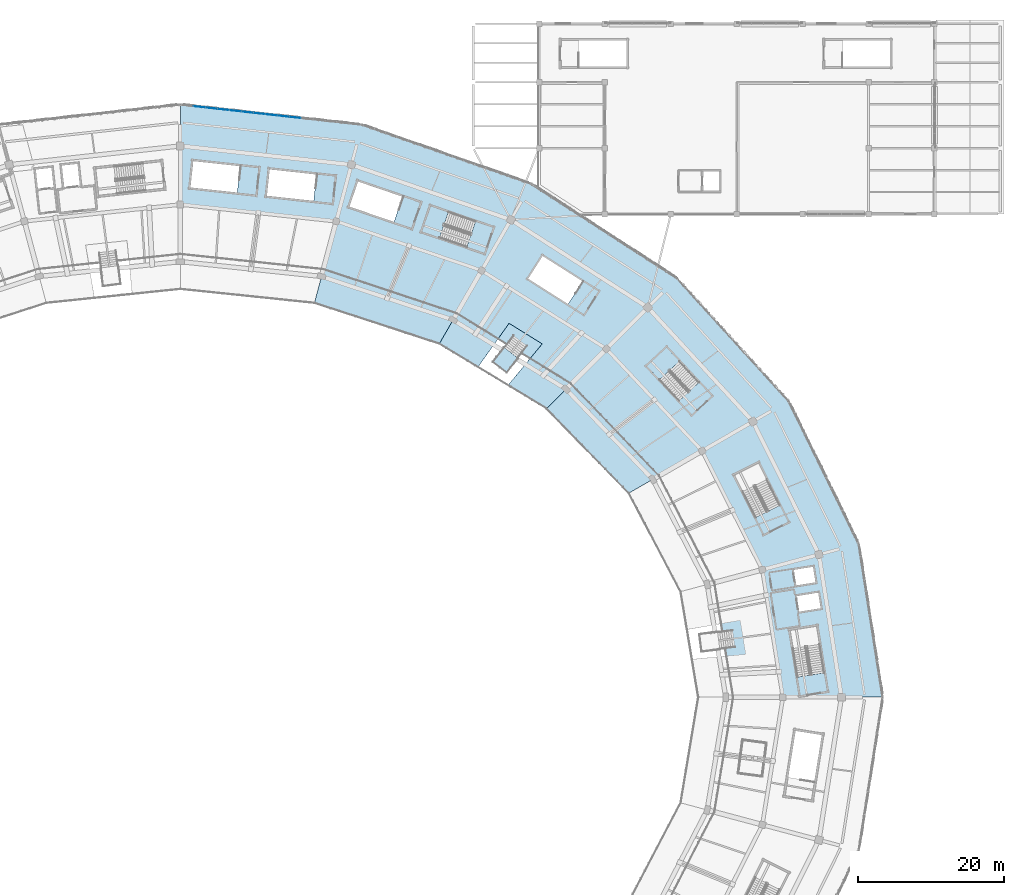
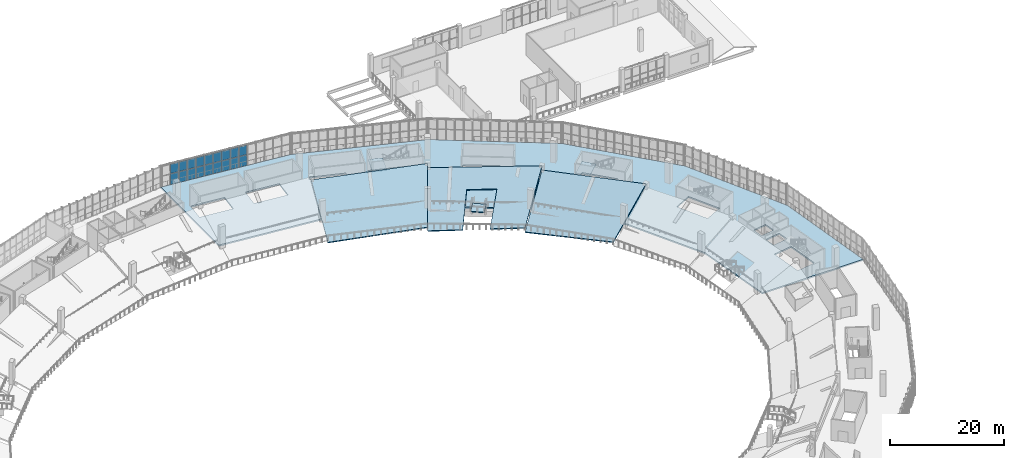
# One storey, part 86 of 152: 18 plates, 7 slabs, 4 elements without a shape of their own.
"""IFC4 building model written with IfcOpenShell, lengths in metres."""

from ifc_helpers import new_model, si_unit, direction, frame, origin, origin_2d, place, context, subcontext, project, spatial, polyline, rectangle, outline, extrude, material, layer, layer_set, type_object, element, aggregate, save


model = new_model("IFC4")

# Units and contexts
model_context = context("Model", 3, precision=1e-05, world=origin(), true_north=direction((0.0, 1.0)))
body_context = subcontext(model_context, "Body", "Model", "MODEL_VIEW")
ifc_project = project(units=[si_unit("LENGTHUNIT", "METRE"), si_unit("AREAUNIT", "SQUARE_METRE"), si_unit("VOLUMEUNIT", "CUBIC_METRE"), si_unit("PLANEANGLEUNIT", "RADIAN"), si_unit("MASSUNIT", "GRAM", prefix="KILO")], contexts=[model_context])

# Site, building, storey
site_placement = place(None, origin())
site = spatial("IfcSite", under=ifc_project, at=site_placement, CompositionType="ELEMENT")
building_placement = place(site_placement, origin())
building = spatial("IfcBuilding", under=site, at=building_placement, Name="Zevraka Park Crest Stadium", CompositionType="ELEMENT")
storey_placement = place(building_placement, frame((0.0, 0.0, 15.0)))
storey = spatial("IfcBuildingStorey", under=building, at=storey_placement, Name="L03", CompositionType="ELEMENT", Elevation=15.0)

# Curtain wall, plates
ifc_material_1 = material(Name="Anodised architectural aluminium and laminated safety glass", Category="aluminium")
curtain_wall_type = type_object("IfcCurtainWallType", Name="CW11", PredefinedType="NOTDEFINED", material=ifc_material_1)
curtain_wall_placement = place(storey_placement, origin())
curtain_wall = element("IfcCurtainWall", 1, at=curtain_wall_placement, inside=storey, type_object=curtain_wall_type, Name="Unitised Ring Curtain Wall CW11 L03-05", PredefinedType="NOTDEFINED")
ifc_material_2 = material(Name="Solar-control laminated double glazing", Category="glass")
ifc_layer_1 = layer(ifc_material_2, 0.028076171875)
ifc_layer_set_1 = layer_set([ifc_layer_1], Name="Solar-control laminated double glazing")
plate_type = type_object("IfcPlateType", Name="CP11", PredefinedType="CURTAIN_PANEL", material=ifc_layer_set_1)
plate_1_placement = place(storey_placement, frame((127.6904296875, 171.176513671875, 0.06494140625), z_axis=(0.0, 0.0, 1.0), x_axis=(-0.993887680665, 0.110396006373, 0.0)))
plate_1 = element("IfcPlate", 2, at=plate_1_placement, type_object=plate_type, Name="CW11 panel 6.1", PredefinedType="CURTAIN_PANEL", context=body_context, shape_type="SweptSolid", body=[
    extrude(rectangle(XDim=1.5830078125, YDim=0.028076171875, at=origin_2d()), origin(), (0.0, 0.0, 1.0), 2.302490234375),
])
plate_2_placement = place(storey_placement, frame((127.6904296875, 171.176513671875, 2.4326171875), z_axis=(0.0, 0.0, 1.0), x_axis=(-0.993887680665, 0.110396006373, 0.0)))
plate_2 = element("IfcPlate", 3, at=plate_2_placement, type_object=plate_type, Name="CW11 panel 6.2", PredefinedType="CURTAIN_PANEL", context=body_context, shape_type="SweptSolid", body=[
    extrude(rectangle(XDim=1.5830078125, YDim=0.028076171875, at=origin_2d()), origin(), (0.0, 0.0, 1.0), 2.04248046875),
])
plate_3_placement = place(storey_placement, frame((126.052490234375, 171.358642578125, 0.06494140625), z_axis=(0.0, 0.0, 1.0), x_axis=(-0.993887680665, 0.110396006373, 0.0)))
plate_3 = element("IfcPlate", 4, at=plate_3_placement, type_object=plate_type, Name="CW11 panel 7.1", PredefinedType="CURTAIN_PANEL", context=body_context, shape_type="SweptSolid", body=[
    extrude(rectangle(XDim=1.5830078125, YDim=0.028076171875, at=origin_2d()), origin(), (0.0, 0.0, 1.0), 2.302490234375),
])
plate_4_placement = place(storey_placement, frame((126.052490234375, 171.358642578125, 2.4326171875), z_axis=(0.0, 0.0, 1.0), x_axis=(-0.993887680665, 0.110396006373, 0.0)))
plate_4 = element("IfcPlate", 5, at=plate_4_placement, type_object=plate_type, Name="CW11 panel 7.2", PredefinedType="CURTAIN_PANEL", context=body_context, shape_type="SweptSolid", body=[
    extrude(rectangle(XDim=1.5830078125, YDim=0.028076171875, at=origin_2d()), origin(), (0.0, 0.0, 1.0), 2.04248046875),
])
plate_5_placement = place(storey_placement, frame((124.41455078125, 171.54052734375, 0.06494140625), z_axis=(0.0, 0.0, 1.0), x_axis=(-0.993887680665, 0.110396006373, 0.0)))
plate_5 = element("IfcPlate", 6, at=plate_5_placement, type_object=plate_type, Name="CW11 panel 8.1", PredefinedType="CURTAIN_PANEL", context=body_context, shape_type="SweptSolid", body=[
    extrude(rectangle(XDim=1.5830078125, YDim=0.028076171875, at=origin_2d()), origin(), (0.0, 0.0, 1.0), 2.302490234375),
])
plate_6_placement = place(storey_placement, frame((124.41455078125, 171.54052734375, 2.4326171875), z_axis=(0.0, 0.0, 1.0), x_axis=(-0.993887680665, 0.110396006373, 0.0)))
plate_6 = element("IfcPlate", 7, at=plate_6_placement, type_object=plate_type, Name="CW11 panel 8.2", PredefinedType="CURTAIN_PANEL", context=body_context, shape_type="SweptSolid", body=[
    extrude(rectangle(XDim=1.5830078125, YDim=0.028076171875, at=origin_2d()), origin(), (0.0, 0.0, 1.0), 2.04248046875),
])
plate_7_placement = place(storey_placement, frame((122.776611328125, 171.722412109375, 0.06494140625), z_axis=(0.0, 0.0, 1.0), x_axis=(-0.993887680665, 0.110396006373, 0.0)))
plate_7 = element("IfcPlate", 8, at=plate_7_placement, type_object=plate_type, Name="CW11 panel 9.1", PredefinedType="CURTAIN_PANEL", context=body_context, shape_type="SweptSolid", body=[
    extrude(rectangle(XDim=1.5830078125, YDim=0.028076171875, at=origin_2d()), origin(), (0.0, 0.0, 1.0), 2.302490234375),
])
plate_8_placement = place(storey_placement, frame((122.776611328125, 171.722412109375, 2.4326171875), z_axis=(0.0, 0.0, 1.0), x_axis=(-0.993887680665, 0.110396006373, 0.0)))
plate_8 = element("IfcPlate", 9, at=plate_8_placement, type_object=plate_type, Name="CW11 panel 9.2", PredefinedType="CURTAIN_PANEL", context=body_context, shape_type="SweptSolid", body=[
    extrude(rectangle(XDim=1.5830078125, YDim=0.028076171875, at=origin_2d()), origin(), (0.0, 0.0, 1.0), 2.04248046875),
])
plate_9_placement = place(storey_placement, frame((121.138671875, 171.904296875, 0.06494140625), z_axis=(0.0, 0.0, 1.0), x_axis=(-0.993887680665, 0.110396006373, 0.0)))
plate_9 = element("IfcPlate", 10, at=plate_9_placement, type_object=plate_type, Name="CW11 panel 10.1", PredefinedType="CURTAIN_PANEL", context=body_context, shape_type="SweptSolid", body=[
    extrude(rectangle(XDim=1.5830078125, YDim=0.028076171875, at=origin_2d()), origin(), (0.0, 0.0, 1.0), 2.302490234375),
])
plate_10_placement = place(storey_placement, frame((121.138671875, 171.904296875, 2.4326171875), z_axis=(0.0, 0.0, 1.0), x_axis=(-0.993887680665, 0.110396006373, 0.0)))
plate_10 = element("IfcPlate", 11, at=plate_10_placement, type_object=plate_type, Name="CW11 panel 10.2", PredefinedType="CURTAIN_PANEL", context=body_context, shape_type="SweptSolid", body=[
    extrude(rectangle(XDim=1.5830078125, YDim=0.028076171875, at=origin_2d()), origin(), (0.0, 0.0, 1.0), 2.04248046875),
])
plate_11_placement = place(storey_placement, frame((119.500732421875, 172.086181640625, 0.06494140625), z_axis=(0.0, 0.0, 1.0), x_axis=(-0.993887680665, 0.110396006373, 0.0)))
plate_11 = element("IfcPlate", 12, at=plate_11_placement, type_object=plate_type, Name="CW11 panel 11.1", PredefinedType="CURTAIN_PANEL", context=body_context, shape_type="SweptSolid", body=[
    extrude(rectangle(XDim=1.5830078125, YDim=0.028076171875, at=origin_2d()), origin(), (0.0, 0.0, 1.0), 2.302490234375),
])
plate_12_placement = place(storey_placement, frame((119.500732421875, 172.086181640625, 2.4326171875), z_axis=(0.0, 0.0, 1.0), x_axis=(-0.993887680665, 0.110396006373, 0.0)))
plate_12 = element("IfcPlate", 13, at=plate_12_placement, type_object=plate_type, Name="CW11 panel 11.2", PredefinedType="CURTAIN_PANEL", context=body_context, shape_type="SweptSolid", body=[
    extrude(rectangle(XDim=1.5830078125, YDim=0.028076171875, at=origin_2d()), origin(), (0.0, 0.0, 1.0), 2.04248046875),
])
plate_13_placement = place(storey_placement, frame((117.86279296875, 172.268310546875, 0.06494140625), z_axis=(0.0, 0.0, 1.0), x_axis=(-0.993887680665, 0.110396006373, 0.0)))
plate_13 = element("IfcPlate", 14, at=plate_13_placement, type_object=plate_type, Name="CW11 panel 12.1", PredefinedType="CURTAIN_PANEL", context=body_context, shape_type="SweptSolid", body=[
    extrude(rectangle(XDim=1.5830078125, YDim=0.028076171875, at=origin_2d()), origin(), (0.0, 0.0, 1.0), 2.302490234375),
])
plate_14_placement = place(storey_placement, frame((117.86279296875, 172.268310546875, 2.4326171875), z_axis=(0.0, 0.0, 1.0), x_axis=(-0.993887680665, 0.110396006373, 0.0)))
plate_14 = element("IfcPlate", 15, at=plate_14_placement, type_object=plate_type, Name="CW11 panel 12.2", PredefinedType="CURTAIN_PANEL", context=body_context, shape_type="SweptSolid", body=[
    extrude(rectangle(XDim=1.5830078125, YDim=0.028076171875, at=origin_2d()), origin(), (0.0, 0.0, 1.0), 2.04248046875),
])
plate_15_placement = place(storey_placement, frame((116.224853515625, 172.4501953125, 0.06494140625), z_axis=(0.0, 0.0, 1.0), x_axis=(-0.993887680665, 0.110396006373, 0.0)))
plate_15 = element("IfcPlate", 16, at=plate_15_placement, type_object=plate_type, Name="CW11 panel 13.1", PredefinedType="CURTAIN_PANEL", context=body_context, shape_type="SweptSolid", body=[
    extrude(rectangle(XDim=1.5830078125, YDim=0.028076171875, at=origin_2d()), origin(), (0.0, 0.0, 1.0), 2.302490234375),
])
plate_16_placement = place(storey_placement, frame((116.224853515625, 172.4501953125, 2.4326171875), z_axis=(0.0, 0.0, 1.0), x_axis=(-0.993887680665, 0.110396006373, 0.0)))
plate_16 = element("IfcPlate", 17, at=plate_16_placement, type_object=plate_type, Name="CW11 panel 13.2", PredefinedType="CURTAIN_PANEL", context=body_context, shape_type="SweptSolid", body=[
    extrude(rectangle(XDim=1.5830078125, YDim=0.028076171875, at=origin_2d()), origin(), (0.0, 0.0, 1.0), 2.04248046875),
])
plate_17_placement = place(storey_placement, frame((114.5869140625, 172.632080078125, 0.06494140625), z_axis=(0.0, 0.0, 1.0), x_axis=(-0.993887680665, 0.110396006373, 0.0)))
plate_17 = element("IfcPlate", 18, at=plate_17_placement, type_object=plate_type, Name="CW11 panel 14.1", PredefinedType="CURTAIN_PANEL", context=body_context, shape_type="SweptSolid", body=[
    extrude(rectangle(XDim=1.5830078125, YDim=0.028076171875, at=origin_2d()), origin(), (0.0, 0.0, 1.0), 2.302490234375),
])
plate_18_placement = place(storey_placement, frame((114.5869140625, 172.632080078125, 2.4326171875), z_axis=(0.0, 0.0, 1.0), x_axis=(-0.993887680665, 0.110396006373, 0.0)))
plate_18 = element("IfcPlate", 19, at=plate_18_placement, type_object=plate_type, Name="CW11 panel 14.2", PredefinedType="CURTAIN_PANEL", context=body_context, shape_type="SweptSolid", body=[
    extrude(rectangle(XDim=1.5830078125, YDim=0.028076171875, at=origin_2d()), origin(), (0.0, 0.0, 1.0), 2.04248046875),
])
aggregate(curtain_wall, [plate_1, plate_2, plate_3, plate_4, plate_5, plate_6, plate_7, plate_8, plate_9, plate_10, plate_11, plate_12, plate_13, plate_14, plate_15, plate_16, plate_17, plate_18])

# Slab
ifc_material_3 = material(Name="Concrete C35/45", Category="concrete")
ifc_layer_2 = layer(ifc_material_3, 0.300048828125)
ifc_layer_set_2 = layer_set([ifc_layer_2], Name="Concrete C35/45")
slab_type_1 = type_object("IfcSlabType", Name="FS01", PredefinedType="FLOOR", material=ifc_layer_set_2)
slab_1_placement = place(storey_placement, frame((0.0, 0.0, -0.300048828125)))
element("IfcSlab", 20, at=slab_1_placement, inside=storey, type_object=slab_type_1, Name="Bowl Concourse Ring Slab L03 Q1-NE-1", PredefinedType="FLOOR", context=body_context, shape_type="SweptSolid", body=[
    extrude(outline(polyline([(184.87890625, 107.64599609375), (177.342041015625, 122.22509765625), (165.35107421875, 134.7451171875), (149.72509765625, 144.35107421875), (131.528076171875, 150.389892578125), (112.0, 152.449951171875), (112.0, 173.0), (136.846923828125, 170.239990234375), (160.0, 162.14794921875), (179.882080078125, 149.27587890625), (195.137939453125, 132.5), (204.72900390625, 112.964111328125), (208.0, 92.0), (187.449951171875, 92.0), (184.87890625, 107.64599609375)]), holes=[polyline([(195.23193359375, 101.19189453125), (196.257080078125, 94.7529296875), (199.969970703125, 95.344970703125), (198.945068359375, 101.782958984375), (195.23193359375, 101.19189453125)]), polyline([(196.18408203125, 105.840087890625), (196.529052734375, 103.6669921875), (199.491943359375, 104.137939453125), (199.14697265625, 106.31103515625), (196.18408203125, 105.840087890625)]), polyline([(195.76708984375, 109.419921875), (196.112060546875, 107.2470703125), (198.779052734375, 107.669921875), (198.43408203125, 109.843017578125), (195.76708984375, 109.419921875)]), polyline([(190.97705078125, 124.052978515625), (187.615966796875, 122.368896484375), (190.535888671875, 116.5400390625), (193.89794921875, 118.22412109375), (190.97705078125, 124.052978515625)]), polyline([(178.4169921875, 139.80908203125), (175.660888671875, 137.251953125), (180.095947265625, 132.472900390625), (182.85205078125, 135.030029296875), (178.4169921875, 139.80908203125)]), polyline([(159.43994140625, 149.154052734375), (164.945068359375, 145.660888671875), (166.9599609375, 148.8359375), (161.4541015625, 152.3291015625), (159.43994140625, 149.154052734375)]), polyline([(144.93408203125, 155.571044921875), (151.10205078125, 153.4580078125), (152.320068359375, 157.01611328125), (146.152099609375, 159.1279296875), (144.93408203125, 155.571044921875)]), polyline([(135.0, 158.971923828125), (141.16796875, 156.85888671875), (142.385986328125, 160.4169921875), (136.218017578125, 162.529052734375), (135.0, 158.971923828125)]), polyline([(124.131103515625, 164.169921875), (123.72412109375, 160.431884765625), (130.2060546875, 159.72705078125), (130.613037109375, 163.465087890625), (124.131103515625, 164.169921875)]), polyline([(113.693115234375, 165.305908203125), (113.285888671875, 161.568115234375), (119.76806640625, 160.863037109375), (120.175048828125, 164.60107421875), (113.693115234375, 165.305908203125)])]), origin(), (0.0, 0.0, 1.0), 0.300048828125),
])

# Stair, slab
ifc_material_4 = material(Name="Concrete C35/45", Category="concrete")
stair_type_1 = type_object("IfcStairType", Name="STA2", PredefinedType="HALF_TURN_STAIR", material=ifc_material_4)
stair_1_placement = place(storey_placement, origin())
stair_1 = element("IfcStair", 21, at=stair_1_placement, inside=storey, type_object=stair_type_1, Name="L03 Protected Concourse Exit Stair ST03", PredefinedType="HALF_TURN_STAIR")
ifc_material_5 = material(Name="Concrete C35/45", Category="concrete")
ifc_layer_3 = layer(ifc_material_5, 0.199951171875)
ifc_layer_set_3 = layer_set([ifc_layer_3], Name="Concrete C35/45")
slab_type_2 = type_object("IfcSlabType", Name="LS01", PredefinedType="LANDING", material=ifc_layer_set_3)
slab_2_placement = place(storey_placement, frame((0.0, 0.0, 2.199951171875)))
slab_2 = element("IfcSlab", 22, at=slab_2_placement, type_object=slab_type_2, Name="ST03 landing 1", PredefinedType="LANDING", context=body_context, shape_type="SweptSolid", body=[
    extrude(outline(polyline([(180.192138671875, 137.896240234375), (178.416748046875, 139.809326171875), (175.66064453125, 137.251708984375), (177.436279296875, 135.338623046875), (180.192138671875, 137.896240234375)])), origin(), (0.0, 0.0, 1.0), 0.199951171875),
])
aggregate(stair_1, [slab_2])

stair_2_placement = place(storey_placement, origin())
stair_2 = element("IfcStair", 23, at=stair_2_placement, inside=storey, type_object=stair_type_1, Name="L03 Protected Concourse Exit Stair ST05", PredefinedType="HALF_TURN_STAIR")
slab_3_placement = place(storey_placement, frame((0.0, 0.0, 2.199951171875)))
slab_3 = element("IfcSlab", 24, at=slab_3_placement, type_object=slab_type_2, Name="ST05 landing 1", PredefinedType="LANDING", context=body_context, shape_type="SweptSolid", body=[
    extrude(outline(polyline([(148.621337890625, 158.282470703125), (146.152099609375, 159.1279296875), (144.93408203125, 155.57080078125), (147.403076171875, 154.72509765625), (148.621337890625, 158.282470703125)])), origin(), (0.0, 0.0, 1.0), 0.199951171875),
])
aggregate(stair_2, [slab_3])

ifc_material_6 = material(Name="Concrete C35/45", Category="concrete")
stair_type_2 = type_object("IfcStairType", Name="VST1", PredefinedType="STRAIGHT_RUN_STAIR", material=ifc_material_6)
stair_3_placement = place(storey_placement, origin())
stair_3 = element("IfcStair", 25, at=stair_3_placement, inside=storey, type_object=stair_type_2, Name="Vomitory Stair VS-10", PredefinedType="STRAIGHT_RUN_STAIR")
ifc_material_7 = material(Name="Concrete C35/45", Category="concrete")
ifc_layer_4 = layer(ifc_material_7, 0.179931640625)
ifc_layer_set_4 = layer_set([ifc_layer_4], Name="Concrete C35/45")
slab_type_3 = type_object("IfcSlabType", Name="LS02", PredefinedType="LANDING", material=ifc_layer_set_4)
slab_4_placement = place(storey_placement, frame((0.0, 0.0, 1.02001953125)))
slab_4 = element("IfcSlab", 26, at=slab_4_placement, type_object=slab_type_3, Name="VST1 landing 1", PredefinedType="LANDING", context=body_context, shape_type="SweptSolid", body=[
    extrude(outline(polyline([(156.2109375, 139.7890625), (154.674072265625, 137.785888671875), (156.577880859375, 136.324951171875), (158.114990234375, 138.327880859375), (156.2109375, 139.7890625)])), origin(), (0.0, 0.0, 1.0), 0.179931640625),
])
aggregate(stair_3, [slab_4])

# Slabs
ifc_material_8 = material(Name="Concrete C35/45", Category="concrete")
ifc_layer_5 = layer(ifc_material_8, 0.27001953125)
ifc_layer_set_5 = layer_set([ifc_layer_5], Name="Concrete C35/45")
slab_type_4 = type_object("IfcSlabType", Name="STU1", PredefinedType="USERDEFINED", material=ifc_layer_set_5)
slab_5_placement = place(storey_placement, frame((173.27099609375, 119.875, -1.046142578125), z_axis=(-0.343285960373, -0.263407438958, 0.901538280115), x_axis=(-0.69654174915, 0.715309421755, -0.056231866763)))
element("IfcSlab", 27, at=slab_5_placement, inside=storey, type_object=slab_type_4, Name="Upper Tier Cantilevered Raked Seating Slab 02", ObjectType="SEATING TIER", PredefinedType="USERDEFINED", context=body_context, shape_type="SweptSolid", body=[
    extrude(outline(polyline([(0.0, 0.0), (16.141095543058288, 1.3322676295501878e-15), (15.985315367138213, -12.789929703511465), (-3.1456716964190075, -12.398382777357256), (0.0, 0.0)])), origin(), (0.0, 0.0, -1.0), 0.27001953125),
])
slab_6_placement = place(storey_placement, frame((162.028076171875, 131.4208984375, -1.046142578125), z_axis=(-0.263416150814, -0.343300308602, 0.901530271042), x_axis=(-0.854498267097, 0.516754088466, -0.05289540228)))
element("IfcSlab", 28, at=slab_6_placement, inside=storey, type_object=slab_type_4, Name="Upper Tier Cantilevered Raked Seating Slab 03", ObjectType="SEATING TIER", PredefinedType="USERDEFINED", context=body_context, shape_type="SweptSolid", body=[
    extrude(outline(polyline([(0.0, 0.0), (6.173423774266323, -1.3877787807814457e-16), (4.9113016927509285, -8.03546708578529), (10.248946658225613, -8.100225022738734), (10.974449876961877, 0.0012004614837047844), (17.14753887282108, 0.0012826341184937196), (17.091205722375133, -12.790016752575546), (-3.049072158129783, -12.422146684090336), (0.0, 0.0)])), origin(), (0.0, 0.0, -1.0), 0.27001953125),
])
slab_7_placement = place(storey_placement, frame((147.375, 140.281005859375, -1.16064453125), z_axis=(-0.168378693014, -0.406482410926, 0.898009279099), x_axis=(-0.949973037771, 0.310038083105, -0.037783786636)))
element("IfcSlab", 29, at=slab_7_placement, inside=storey, type_object=slab_type_4, Name="Upper Tier Cantilevered Raked Seating Slab 04", ObjectType="SEATING TIER", PredefinedType="USERDEFINED", context=body_context, shape_type="SweptSolid", body=[
    extrude(outline(polyline([(0.0, 0.0), (17.962581333625103, -7.216449660063518e-16), (18.36926189557556, -12.834891235849575), (-2.596701927528338, -12.575532698699957), (0.0, 0.0)])), origin(), (0.0, 0.0, -1.0), 0.27001953125),
])

save(model, "model.ifc")
